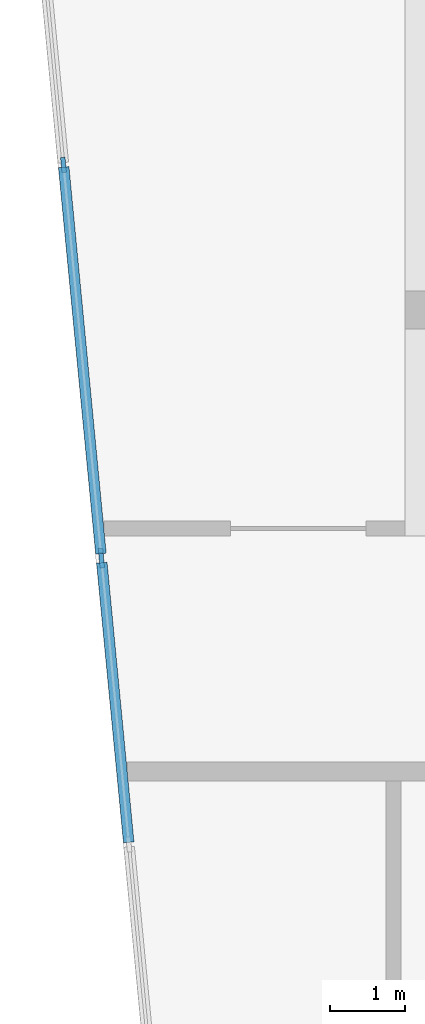
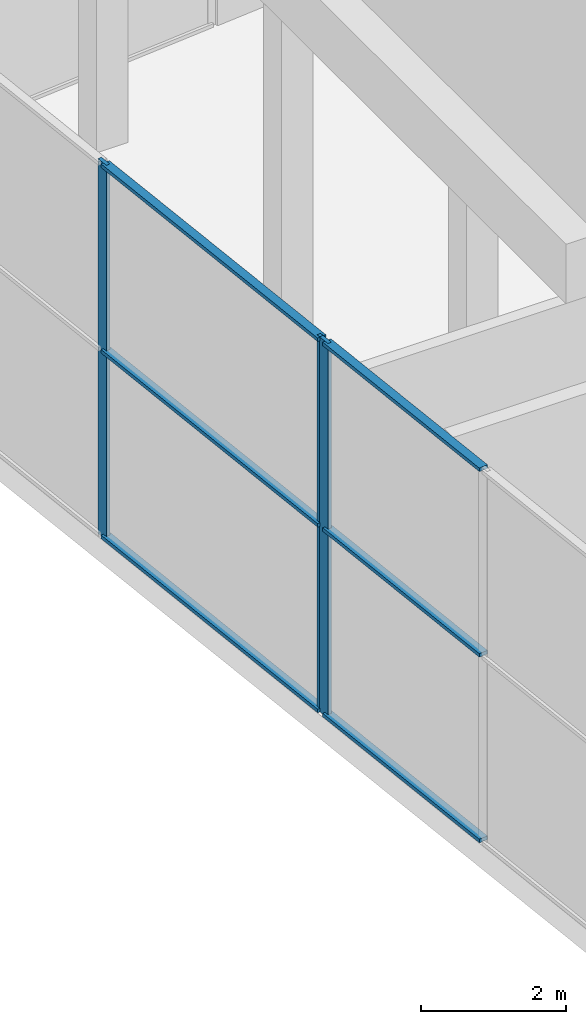
# One storey, part 3 of 24: 9 members, 2 elements without a shape of their own.
"""IFC4 building model written with IfcOpenShell, lengths in metres."""

from ifc_helpers import new_model, si_unit, direction, frame, origin, origin_2d, place, context, subcontext, project, spatial, rectangle, extrude, material, material_profile, profile_set, type_object, element, aggregate, save


model = new_model("IFC4")

# Units and contexts
model_context = context("Model", 3, precision=1e-05, world=origin(), true_north=direction((0.0, 1.0)))
body_context = subcontext(model_context, "Body", "Model", "MODEL_VIEW")
ifc_project = project(units=[si_unit("LENGTHUNIT", "METRE"), si_unit("AREAUNIT", "SQUARE_METRE"), si_unit("VOLUMEUNIT", "CUBIC_METRE"), si_unit("PLANEANGLEUNIT", "RADIAN"), si_unit("MASSUNIT", "GRAM", prefix="KILO")], contexts=[model_context])

# Site, building, storey
site_placement = place(None, origin())
site = spatial("IfcSite", under=ifc_project, at=site_placement, CompositionType="ELEMENT")
building_placement = place(site_placement, origin())
building = spatial("IfcBuilding", under=site, at=building_placement, Name="Kajstack Hotel Tower", CompositionType="ELEMENT")
storey_placement = place(building_placement, frame((0.0, 0.0, 261.89990234375)))
storey = spatial("IfcBuildingStorey", under=building, at=storey_placement, Name="L65", CompositionType="ELEMENT", Elevation=261.89990234375)

# Curtain wall, members
ifc_material_1 = material(Name="Aluminium-framed curtain wall, low-iron insulated glass", Category="aluminium")
curtain_wall_type = type_object("IfcCurtainWallType", Name="CW-GARDEN", PredefinedType="NOTDEFINED", material=ifc_material_1)
curtain_wall_1_placement = place(storey_placement, origin())
curtain_wall_1 = element("IfcCurtainWall", 1, at=curtain_wall_1_placement, inside=storey, type_object=curtain_wall_type, Name="Curtain wall CU6 L65-00-00-0", PredefinedType="NOTDEFINED")
ifc_material_2 = material(Name="Aluminium", Category="aluminium")
ifc_material_profile_1 = material_profile(ifc_material_2, rectangle(XDim=0.06005859375, YDim=0.199951171875, at=origin_2d()), Name="Aluminium mullion 60 x 200")
ifc_profile_set_1 = profile_set([ifc_material_profile_1], Name="Aluminium")
member_type_1 = type_object("IfcMemberType", Name="CW-M-GARDEN", PredefinedType="MULLION", material=ifc_profile_set_1)
member_1_placement = place(storey_placement, frame((-40.779296875, 6.42529296875, 0.0), z_axis=(0.0, 0.0, 1.0), x_axis=(0.995396099628, 0.095846777958, 0.0)))
member_1 = element("IfcMember", 2, at=member_1_placement, type_object=member_type_1, Name="CU6 mullion 2", PredefinedType="MULLION", context=body_context, shape_type="SweptSolid", body=[
    extrude(rectangle(XDim=0.06005859375, YDim=0.199951171875, at=origin_2d()), origin(), (0.0, 0.0, 1.0), 6.320068359375),
])
member_2_placement = place(storey_placement, frame((-40.279541015625, 1.237060546875, 0.0), z_axis=(0.0, 0.0, 1.0), x_axis=(0.995396099628, 0.095846777958, 0.0)))
member_2 = element("IfcMember", 3, at=member_2_placement, type_object=member_type_1, Name="CU6 mullion 3", PredefinedType="MULLION", context=body_context, shape_type="SweptSolid", body=[
    extrude(rectangle(XDim=0.06005859375, YDim=0.199951171875, at=origin_2d()), origin(), (0.0, 0.0, 1.0), 6.320068359375),
])

# Curtain wall, member
curtain_wall_2_placement = place(storey_placement, origin())
curtain_wall_2 = element("IfcCurtainWall", 4, at=curtain_wall_2_placement, inside=storey, type_object=curtain_wall_type, Name="Curtain wall CU6 L65-00-00-1", PredefinedType="NOTDEFINED")
member_3_placement = place(storey_placement, frame((-40.27392578125, 1.17724609375, 0.0), z_axis=(0.0, 0.0, 1.0), x_axis=(0.995396101069, 0.095846763, 0.0)))
member_3 = element("IfcMember", 5, at=member_3_placement, type_object=member_type_1, Name="CU6 mullion 1", PredefinedType="MULLION", context=body_context, shape_type="SweptSolid", body=[
    extrude(rectangle(XDim=0.06005859375, YDim=0.199951171875, at=origin_2d()), origin(), (0.0, 0.0, 1.0), 6.320068359375),
])

# Member
ifc_material_profile_2 = material_profile(ifc_material_2, rectangle(XDim=0.139892578125, YDim=0.06005859375, at=origin_2d()), Name="Aluminium transom 140 x 60")
ifc_profile_set_2 = profile_set([ifc_material_profile_2], Name="Aluminium")
member_type_2 = type_object("IfcMemberType", Name="CW-T-GARDEN", PredefinedType="USERDEFINED", material=ifc_profile_set_2)
member_4_placement = place(storey_placement, frame((-40.7763671875, 6.3955078125, 0.030029296875), z_axis=(0.095857769709, -0.99539504117, 0.0), x_axis=(0.99539504117, 0.095857769709, 0.0)))
member_4 = element("IfcMember", 6, at=member_4_placement, type_object=member_type_2, Name="CU6 transom 2.1", ObjectType="TRANSOM", PredefinedType="USERDEFINED", context=body_context, shape_type="SweptSolid", body=[
    extrude(rectangle(XDim=0.139892578125, YDim=0.06005859375, at=origin_2d()), origin(), (0.0, 0.0, 1.0), 5.15234375),
])

member_5_placement = place(storey_placement, frame((-40.7763671875, 6.3955078125, 3.16015625), z_axis=(0.095857769709, -0.99539504117, 0.0), x_axis=(0.99539504117, 0.095857769709, 0.0)))
member_5 = element("IfcMember", 7, at=member_5_placement, type_object=member_type_2, Name="CU6 transom 2.2", ObjectType="TRANSOM", PredefinedType="USERDEFINED", context=body_context, shape_type="SweptSolid", body=[
    extrude(rectangle(XDim=0.139892578125, YDim=0.06005859375, at=origin_2d()), origin(), (0.0, 0.0, 1.0), 5.15234375),
])

member_6_placement = place(storey_placement, frame((-40.7763671875, 6.3955078125, 6.2900390625), z_axis=(0.095857769709, -0.99539504117, 0.0), x_axis=(0.99539504117, 0.095857769709, 0.0)))
member_6 = element("IfcMember", 8, at=member_6_placement, type_object=member_type_2, Name="CU6 transom 2.3", ObjectType="TRANSOM", PredefinedType="USERDEFINED", context=body_context, shape_type="SweptSolid", body=[
    extrude(rectangle(XDim=0.139892578125, YDim=0.06005859375, at=origin_2d()), origin(), (0.0, 0.0, 1.0), 5.15234375),
])

aggregate(curtain_wall_1, [member_1, member_2, member_4, member_5, member_6])

member_7_placement = place(storey_placement, frame((-40.27099609375, 1.1474609375, 0.030029296875), z_axis=(0.095819733063, -0.995398703413, 0.0), x_axis=(0.995398703413, 0.095819733063, 0.0)))
member_7 = element("IfcMember", 9, at=member_7_placement, type_object=member_type_2, Name="CU6 transom 1.1", ObjectType="TRANSOM", PredefinedType="USERDEFINED", context=body_context, shape_type="SweptSolid", body=[
    extrude(rectangle(XDim=0.139892578125, YDim=0.06005859375, at=origin_2d()), origin(), (0.0, 0.0, 1.0), 3.7275390625),
])

member_8_placement = place(storey_placement, frame((-40.27099609375, 1.1474609375, 3.16015625), z_axis=(0.095819733063, -0.995398703413, 0.0), x_axis=(0.995398703413, 0.095819733063, 0.0)))
member_8 = element("IfcMember", 10, at=member_8_placement, type_object=member_type_2, Name="CU6 transom 1.2", ObjectType="TRANSOM", PredefinedType="USERDEFINED", context=body_context, shape_type="SweptSolid", body=[
    extrude(rectangle(XDim=0.139892578125, YDim=0.06005859375, at=origin_2d()), origin(), (0.0, 0.0, 1.0), 3.7275390625),
])

member_9_placement = place(storey_placement, frame((-40.27099609375, 1.1474609375, 6.2900390625), z_axis=(0.095819733063, -0.995398703413, 0.0), x_axis=(0.995398703413, 0.095819733063, 0.0)))
member_9 = element("IfcMember", 11, at=member_9_placement, type_object=member_type_2, Name="CU6 transom 1.3", ObjectType="TRANSOM", PredefinedType="USERDEFINED", context=body_context, shape_type="SweptSolid", body=[
    extrude(rectangle(XDim=0.139892578125, YDim=0.06005859375, at=origin_2d()), origin(), (0.0, 0.0, 1.0), 3.7275390625),
])

aggregate(curtain_wall_2, [member_3, member_7, member_8, member_9])

save(model, "model.ifc")
